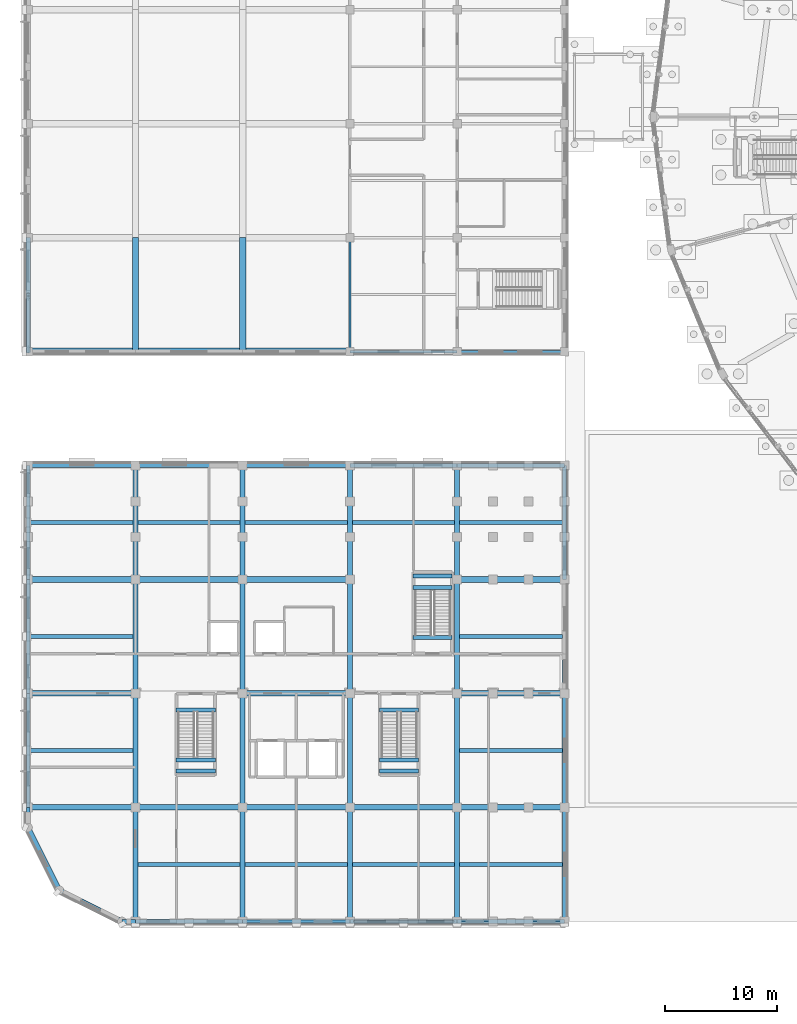
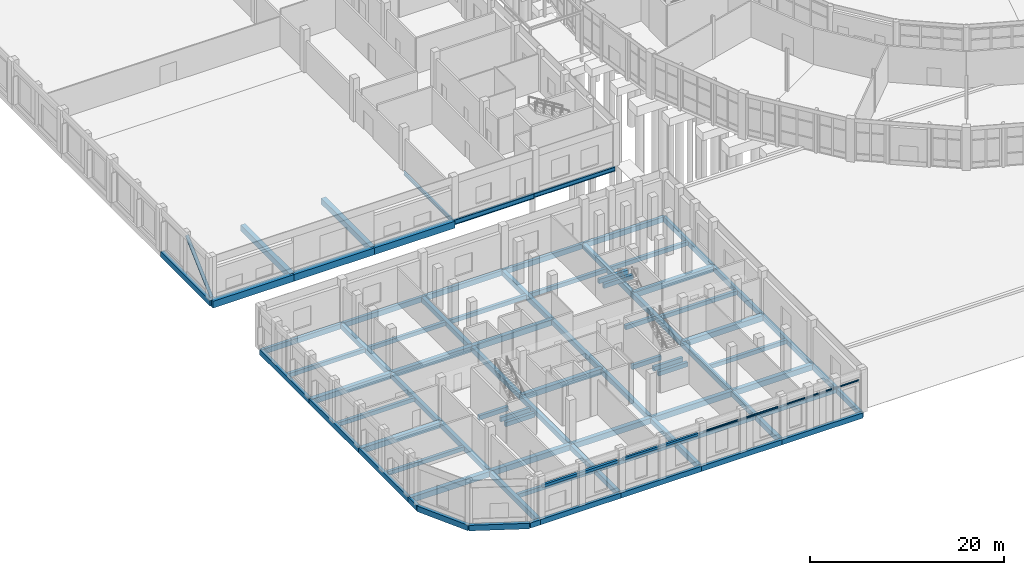
# One storey, part 27 of 137: 83 beams, 1 member.
"""IFC4 building model written with IfcOpenShell, lengths in metres."""

import ifcopenshell
import ifcopenshell.guid

model = None  # the IFC model being written
_history = None  # IfcOwnerHistory: only IFC2X3 demands one
_inside = {}  # id of a spatial element -> (the spatial element, [elements in it])
_under = {}  # id of a project, library or spatial element -> (it, [spatial elements below it])
_declared = {}  # id of a project -> (the project, [libraries it declares])
_typed = {}  # id of a type object -> (the type object, [elements of that type])
_made_of = {}  # id of a material, layer set ... -> (it, [elements and type objects made of it])


def new_model(schema):
    """Start an empty IFC model of exactly this schema.

    Asked for "IFC4X3", IfcOpenShell would pick the latest addendum, in which some entities
    have other attributes; the version numbers below select the first issue.
    IFC2X3 requires an IfcOwnerHistory on every rooted entity: one is made here for all.
    """
    global model, _history
    if schema == "IFC4X3":
        model = ifcopenshell.file(schema_version=(4, 3, 0, 0))
    else:
        model = ifcopenshell.file(schema=schema)
    _inside.clear()
    _under.clear()
    _declared.clear()
    _typed.clear()
    _made_of.clear()
    _history = None
    if model.schema == "IFC2X3":
        org = make("IfcOrganization", Name="unknown")
        user = make(
            "IfcPersonAndOrganization",
            ThePerson=make("IfcPerson", FamilyName="unknown"),
            TheOrganization=org,
        )
        app = make(
            "IfcApplication",
            ApplicationDeveloper=org,
            Version="unknown",
            ApplicationFullName="unknown",
            ApplicationIdentifier="unknown",
        )
        _history = make(
            "IfcOwnerHistory",
            OwningUser=user,
            OwningApplication=app,
            ChangeAction="ADDED",
            CreationDate=0,
        )
    return model


def make(cls, **values):
    """One entity of the class cls with the attributes given. An attribute that is None is left unset."""
    return model.create_entity(
        cls, **{name: value for name, value in values.items() if value is not None}
    )


def rooted(cls, **values):
    """An entity with a GlobalId (a new one), such as an element, a storey or a relation."""
    return make(cls, GlobalId=ifcopenshell.guid.new(), OwnerHistory=_history, **values)


def si_unit(unit_type, name, prefix=None):
    """IfcSIUnit, for example si_unit("LENGTHUNIT", "METRE", prefix="MILLI")."""
    return make("IfcSIUnit", UnitType=unit_type, Prefix=prefix, Name=name)


def assignment(units):
    """IfcUnitAssignment: the units of a project."""
    return None if units is None else make("IfcUnitAssignment", Units=units)


def point(xyz):
    """IfcCartesianPoint."""
    return None if xyz is None else make("IfcCartesianPoint", Coordinates=xyz)


def direction(xyz):
    """IfcDirection."""
    return None if xyz is None else make("IfcDirection", DirectionRatios=xyz)


def frame(location, z_axis=None, x_axis=None):
    """IfcAxis2Placement3D, a coordinate frame: its origin and axes. An axis left out is left unset."""
    return make(
        "IfcAxis2Placement3D",
        Location=point(location),
        Axis=direction(z_axis),
        RefDirection=direction(x_axis),
    )


def frame_2d(location, x_axis=None):
    """IfcAxis2Placement2D, a coordinate frame in the plane: its origin and x axis."""
    return make(
        "IfcAxis2Placement2D", Location=point(location), RefDirection=direction(x_axis)
    )


def origin():
    """The frame at (0, 0, 0) with its axes left unset."""
    return frame((0.0, 0.0, 0.0))


def origin_2d():
    """The frame at (0, 0) in the plane with its x axis left unset."""
    return frame_2d((0.0, 0.0))


def place(relative_to, where):
    """IfcLocalPlacement: puts the frame where relative to a parent placement (None: the world)."""
    return make(
        "IfcLocalPlacement", PlacementRelTo=relative_to, RelativePlacement=where
    )


def context(
    kind, dimensions, precision=None, world=None, true_north=None, identifier=None
):
    """IfcGeometricRepresentationContext, for example the 3D "Model" context."""
    return make(
        "IfcGeometricRepresentationContext",
        ContextIdentifier=identifier,
        ContextType=kind,
        CoordinateSpaceDimension=dimensions,
        Precision=precision,
        WorldCoordinateSystem=world,
        TrueNorth=true_north,
    )


def subcontext(parent, identifier, kind, view, scale=None):
    """IfcGeometricRepresentationSubContext, for example "Body" below "Model"."""
    return make(
        "IfcGeometricRepresentationSubContext",
        ContextIdentifier=identifier,
        ContextType=kind,
        ParentContext=parent,
        TargetScale=scale,
        TargetView=view,
    )


def project(units=None, contexts=None):
    """IfcProject with its units and contexts."""
    return rooted(
        "IfcProject",
        Name="project",
        RepresentationContexts=contexts,
        UnitsInContext=assignment(units),
    )


def spatial(cls, under=None, at=None, **own):
    """A site, building, storey or space (cls), placed at a placement, below another one or the project."""
    s = rooted(cls, ObjectPlacement=at, **own)
    if under is not None:
        _under.setdefault(under.id(), (under, []))[1].append(s)
    return s


def profile(cls, at=None, kind="AREA", **sizes):
    """A parametric profile (cls). Its sizes go by their IFC names, for example OverallWidth=200.0."""
    return make(cls, ProfileType=kind, Position=at, **sizes)


def rectangle(**sizes):
    """IfcRectangleProfileDef."""
    return profile("IfcRectangleProfileDef", **sizes)


def hollow_circle(**sizes):
    """IfcCircleHollowProfileDef."""
    return profile("IfcCircleHollowProfileDef", **sizes)


def i_section(**sizes):
    """IfcIShapeProfileDef."""
    return profile("IfcIShapeProfileDef", **sizes)


def extrude(swept, where, along, depth):
    """IfcExtrudedAreaSolid: the profile swept, set in the frame where, extruded along a direction by depth."""
    return make(
        "IfcExtrudedAreaSolid",
        SweptArea=swept,
        Position=where,
        ExtrudedDirection=direction(along),
        Depth=depth,
    )


def shape(context_of_items, identifier, shape_type, items):
    """IfcShapeRepresentation: the items that make up one representation, for example the "Body"."""
    return make(
        "IfcShapeRepresentation",
        ContextOfItems=context_of_items,
        RepresentationIdentifier=identifier,
        RepresentationType=shape_type,
        Items=items,
    )


def material(Name=None, Category=None):
    """IfcMaterial."""
    return make("IfcMaterial", Name=Name, Category=Category)


def material_profile(
    of_material, cross_section, Name=None, Category=None, Priority=None
):
    """IfcMaterialProfile: a cross section and its material."""
    return make(
        "IfcMaterialProfile",
        Name=Name,
        Material=of_material,
        Profile=cross_section,
        Priority=Priority,
        Category=Category,
    )


def profile_set(profiles, Name=None, composite=None):
    """IfcMaterialProfileSet."""
    return make(
        "IfcMaterialProfileSet",
        Name=Name,
        MaterialProfiles=profiles,
        CompositeProfile=composite,
    )


def made_of(thing, what):
    """Note that an element or type object is made of a material, layer set ...; save() writes the relation."""
    if what is not None:
        _made_of.setdefault(what.id(), (what, []))[1].append(thing)
    return thing


def type_object(cls, material=None, **own):
    """A type object (cls), such as IfcWallType, which elements share."""
    return made_of(rooted(cls, **own), material)


def element(
    cls,
    number,
    at=None,
    inside=None,
    cuts=None,
    type_object=None,
    material=None,
    context=None,
    identifier="Body",
    shape_type=None,
    held_by="IfcProductDefinitionShape",
    body=None,
    shapes=None,
    **own,
):
    """One element of the class cls, such as IfcWall. Its Tag is "e" and its number.

    at: its placement. inside: the storey or other place that contains it. cuts: it is an
    opening in that element (IfcRelVoidsElement). A single representation is given by context,
    identifier, shape_type and body (its items); several are given by shapes. held_by: the class
    of the entity that holds the representations. save() writes the other relations.
    """
    e = rooted(cls, Tag="e%d" % number, ObjectPlacement=at, **own)
    if body is not None:
        shapes = [shape(context, identifier, shape_type, body)]
    if shapes is not None:
        e.Representation = make(held_by, Representations=shapes)
    if inside is not None:
        _inside.setdefault(inside.id(), (inside, []))[1].append(e)
    if cuts is not None:
        rooted(
            "IfcRelVoidsElement", RelatingBuildingElement=cuts, RelatedOpeningElement=e
        )
    if type_object is not None:
        _typed.setdefault(type_object.id(), (type_object, []))[1].append(e)
    return made_of(e, material)


def aggregate(whole, parts):
    """IfcRelAggregates: a whole, such as a stair, and the parts it consists of."""
    return rooted("IfcRelAggregates", RelatingObject=whole, RelatedObjects=parts)


def save(model, path):
    """Write the relations noted so far, then the file.

    IfcRelAggregates (storeys below a building ...), IfcRelContainedInSpatialStructure (elements
    in a storey), IfcRelDefinesByType, IfcRelAssociatesMaterial and IfcRelDeclares: one each for
    every whole, place, type object, material and project.
    """
    for whole, parts in _under.values():
        aggregate(whole, parts)
    for where, things in _inside.values():
        rooted(
            "IfcRelContainedInSpatialStructure",
            RelatedElements=things,
            RelatingStructure=where,
        )
    for kind, things in _typed.values():
        rooted("IfcRelDefinesByType", RelatedObjects=things, RelatingType=kind)
    for what, things in _made_of.values():
        rooted("IfcRelAssociatesMaterial", RelatedObjects=things, RelatingMaterial=what)
    for by, libraries in _declared.values():
        rooted("IfcRelDeclares", RelatingContext=by, RelatedDefinitions=libraries)
    model.write(path)


model = new_model("IFC4")

# Units and contexts
model_context = context("Model", 3, precision=1e-05, world=origin(), true_north=direction((0.0, 1.0)))
body_context = subcontext(model_context, "Body", "Model", "MODEL_VIEW")
ifc_project = project(units=[si_unit("LENGTHUNIT", "METRE"), si_unit("AREAUNIT", "SQUARE_METRE"), si_unit("VOLUMEUNIT", "CUBIC_METRE"), si_unit("PLANEANGLEUNIT", "RADIAN"), si_unit("MASSUNIT", "GRAM", prefix="KILO")], contexts=[model_context])

# Site, building, storey
site_placement = place(None, origin())
site = spatial("IfcSite", under=ifc_project, at=site_placement, CompositionType="ELEMENT")
building_placement = place(site_placement, origin())
building = spatial("IfcBuilding", under=site, at=building_placement, Name="Vondelvale Polytechnic", CompositionType="ELEMENT")
storey_placement = place(building_placement, origin())
storey = spatial("IfcBuildingStorey", under=building, at=storey_placement, Name="L00", CompositionType="ELEMENT", Elevation=0.0)

# Beams
ifc_material_1 = material(Name="Concrete N40 (f'c = 40 MPa)", Category="concrete")
ifc_material_profile_1 = material_profile(ifc_material_1, rectangle(XDim=0.35009765625, YDim=0.550048828125, at=origin_2d()), Name="RC-BM-350x550")
ifc_profile_set_1 = profile_set([ifc_material_profile_1], Name="Concrete N40 (f'c = 40 MPa)")
beam_type_1 = type_object("IfcBeamType", Name="BM-RC350x550", PredefinedType="BEAM", material=ifc_profile_set_1)
for number, where, z_axis, x_axis, name in (
    (1, (13.25, 14.449951171875, 2.22509765625), (1.0, 0.0, 0.0), (0.0, 1.0, 0.0), "L00 STLD B-06"),
    (2, (13.25, 13.449951171875, 2.22509765625), (1.0, 0.0, 0.0), (0.0, 1.0, 0.0), "L00 STLD B-06"),
    (3, (13.25, 18.925048828125, -0.27490234375), (1.0, 0.0, 0.0), (0.0, 1.0, 0.0), "L00 STHD B-06"),
    (4, (31.449951171875, 14.449951171875, 2.22509765625), (1.0, 0.0, 0.0), (0.0, 1.0, 0.0), "L00 STLD B-06"),
    (5, (31.449951171875, 13.449951171875, 2.22509765625), (1.0, 0.0, 0.0), (0.0, 1.0, 0.0), "L00 STLD B-06"),
    (6, (31.449951171875, 18.925048828125, -0.27490234375), (1.0, 0.0, 0.0), (0.0, 1.0, 0.0), "L00 STHD B-06"),
    (7, (37.949951171875, 29.89990234375, 2.22509765625), (-1.0, 0.0, 0.0), (0.0, -1.0, 0.0), "L00 STLD B-06"),
    (8, (37.949951171875, 30.89990234375, 2.22509765625), (-1.0, 0.0, 0.0), (0.0, -1.0, 0.0), "L00 STLD B-06"),
    (9, (37.949951171875, 25.425048828125, -0.27490234375), (-1.0, 0.0, 0.0), (0.0, -1.0, 0.0), "L00 STHD B-06"),
):
    element("IfcBeam", number, at=place(storey_placement, frame(where, z_axis=z_axis, x_axis=x_axis)), inside=storey, type_object=beam_type_1, Name=name, PredefinedType="BEAM", context=body_context, shape_type="SweptSolid", body=[
        extrude(rectangle(XDim=0.35009765625, YDim=0.550048828125, at=origin_2d()), origin(), (0.0, 0.0, 1.0), 3.5),
    ])
ifc_material_profile_2 = material_profile(ifc_material_1, rectangle(XDim=0.449951171875, YDim=0.64990234375, at=origin_2d()), Name="RC-BM-450x650")
ifc_profile_set_2 = profile_set([ifc_material_profile_2], Name="Concrete N40 (f'c = 40 MPa)")
beam_type_2 = type_object("IfcBeamType", Name="BM-RC450x650", PredefinedType="BEAM", material=ifc_profile_set_2)
for number, where, z_axis, x_axis, name in (
    (10, (9.60009765625, 0.0, -0.625), (0.0, 1.0, 0.0), (-1.0, 0.0, 0.0), "L00 B B-04"),
    (11, (9.60009765625, 10.199951171875, -0.625), (0.0, 1.0, 0.0), (-1.0, 0.0, 0.0), "L00 B B-04"),
):
    element("IfcBeam", number, at=place(storey_placement, frame(where, z_axis=z_axis, x_axis=x_axis)), inside=storey, type_object=beam_type_2, Name=name, PredefinedType="BEAM", context=body_context, shape_type="SweptSolid", body=[
        extrude(rectangle(XDim=0.449951171875, YDim=0.64990234375, at=origin_2d()), origin(), (0.0, 0.0, 1.0), 10.199951171875),
    ])
beam_1_placement = place(storey_placement, frame((9.60009765625, 20.39990234375, -0.625), z_axis=(0.0, 1.0, 0.0), x_axis=(-1.0, 0.0, 0.0)))
element("IfcBeam", 12, at=beam_1_placement, inside=storey, type_object=beam_type_2, Name="L00 B B-04", PredefinedType="BEAM", context=body_context, shape_type="SweptSolid", body=[
    extrude(rectangle(XDim=0.449951171875, YDim=0.64990234375, at=origin_2d()), origin(), (0.0, 0.0, 1.0), 10.2001953125),
])
for number, where, z_axis, x_axis, name in (
    (13, (9.60009765625, 30.60009765625, -0.625), (0.0, 1.0, 0.0), (-1.0, 0.0, 0.0), "L00 B B-04"),
    (14, (19.199951171875, 0.0, -0.625), (0.0, 1.0, 0.0), (-1.0, 0.0, 0.0), "L00 B B-04"),
    (15, (19.199951171875, 10.199951171875, -0.625), (0.0, 1.0, 0.0), (-1.0, 0.0, 0.0), "L00 B B-04"),
):
    element("IfcBeam", number, at=place(storey_placement, frame(where, z_axis=z_axis, x_axis=x_axis)), inside=storey, type_object=beam_type_2, Name=name, PredefinedType="BEAM", context=body_context, shape_type="SweptSolid", body=[
        extrude(rectangle(XDim=0.449951171875, YDim=0.64990234375, at=origin_2d()), origin(), (0.0, 0.0, 1.0), 10.199951171875),
    ])
beam_2_placement = place(storey_placement, frame((19.199951171875, 20.39990234375, -0.625), z_axis=(0.0, 1.0, 0.0), x_axis=(-1.0, 0.0, 0.0)))
element("IfcBeam", 16, at=beam_2_placement, inside=storey, type_object=beam_type_2, Name="L00 B B-04", PredefinedType="BEAM", context=body_context, shape_type="SweptSolid", body=[
    extrude(rectangle(XDim=0.449951171875, YDim=0.64990234375, at=origin_2d()), origin(), (0.0, 0.0, 1.0), 10.2001953125),
])
for number, where, z_axis, x_axis, name in (
    (17, (19.199951171875, 30.60009765625, -0.625), (0.0, 1.0, 0.0), (-1.0, 0.0, 0.0), "L00 B B-04"),
    (18, (28.800048828125, 0.0, -0.625), (0.0, 1.0, 0.0), (-1.0, 0.0, 0.0), "L00 B B-04"),
    (19, (28.800048828125, 10.199951171875, -0.625), (0.0, 1.0, 0.0), (-1.0, 0.0, 0.0), "L00 B B-04"),
):
    element("IfcBeam", number, at=place(storey_placement, frame(where, z_axis=z_axis, x_axis=x_axis)), inside=storey, type_object=beam_type_2, Name=name, PredefinedType="BEAM", context=body_context, shape_type="SweptSolid", body=[
        extrude(rectangle(XDim=0.449951171875, YDim=0.64990234375, at=origin_2d()), origin(), (0.0, 0.0, 1.0), 10.199951171875),
    ])
beam_3_placement = place(storey_placement, frame((28.800048828125, 20.39990234375, -0.625), z_axis=(0.0, 1.0, 0.0), x_axis=(-1.0, 0.0, 0.0)))
element("IfcBeam", 20, at=beam_3_placement, inside=storey, type_object=beam_type_2, Name="L00 B B-04", PredefinedType="BEAM", context=body_context, shape_type="SweptSolid", body=[
    extrude(rectangle(XDim=0.449951171875, YDim=0.64990234375, at=origin_2d()), origin(), (0.0, 0.0, 1.0), 10.2001953125),
])
for number, where, z_axis, x_axis, name in (
    (21, (28.800048828125, 30.60009765625, -0.625), (0.0, 1.0, 0.0), (-1.0, 0.0, 0.0), "L00 B B-04"),
    (22, (38.39990234375, 0.0, -0.625), (0.0, 1.0, 0.0), (-1.0, 0.0, 0.0), "L00 B B-04"),
    (23, (38.39990234375, 10.199951171875, -0.625), (0.0, 1.0, 0.0), (-1.0, 0.0, 0.0), "L00 B B-04"),
):
    element("IfcBeam", number, at=place(storey_placement, frame(where, z_axis=z_axis, x_axis=x_axis)), inside=storey, type_object=beam_type_2, Name=name, PredefinedType="BEAM", context=body_context, shape_type="SweptSolid", body=[
        extrude(rectangle(XDim=0.449951171875, YDim=0.64990234375, at=origin_2d()), origin(), (0.0, 0.0, 1.0), 10.199951171875),
    ])
beam_4_placement = place(storey_placement, frame((38.39990234375, 20.39990234375, -0.625), z_axis=(0.0, 1.0, 0.0), x_axis=(-1.0, 0.0, 0.0)))
element("IfcBeam", 24, at=beam_4_placement, inside=storey, type_object=beam_type_2, Name="L00 B B-04", PredefinedType="BEAM", context=body_context, shape_type="SweptSolid", body=[
    extrude(rectangle(XDim=0.449951171875, YDim=0.64990234375, at=origin_2d()), origin(), (0.0, 0.0, 1.0), 10.2001953125),
])
beam_5_placement = place(storey_placement, frame((38.39990234375, 30.60009765625, -0.625), z_axis=(0.0, 1.0, 0.0), x_axis=(-1.0, 0.0, 0.0)))
element("IfcBeam", 25, at=beam_5_placement, inside=storey, type_object=beam_type_2, Name="L00 B B-04", PredefinedType="BEAM", context=body_context, shape_type="SweptSolid", body=[
    extrude(rectangle(XDim=0.449951171875, YDim=0.64990234375, at=origin_2d()), origin(), (0.0, 0.0, 1.0), 10.199951171875),
])
ifc_material_profile_3 = material_profile(ifc_material_1, rectangle(XDim=0.5, YDim=0.699951171875, at=origin_2d()), Name="RC-BM-500x700")
ifc_profile_set_3 = profile_set([ifc_material_profile_3], Name="Concrete N40 (f'c = 40 MPa)")
beam_type_3 = type_object("IfcBeamType", Name="BM-RC500x700", PredefinedType="BEAM", material=ifc_profile_set_3)
beam_6_placement = place(storey_placement, frame((0.0, 10.199951171875, -0.64990234375), z_axis=(1.0, 0.0, 0.0), x_axis=(0.0, 1.0, 0.0)))
element("IfcBeam", 26, at=beam_6_placement, inside=storey, type_object=beam_type_3, Name="L00 B B-03", PredefinedType="BEAM", context=body_context, shape_type="SweptSolid", body=[
    extrude(rectangle(XDim=0.5, YDim=0.699951171875, at=origin_2d()), origin(), (0.0, 0.0, 1.0), 9.60009765625),
])
beam_7_placement = place(storey_placement, frame((9.60009765625, 10.199951171875, -0.64990234375), z_axis=(1.0, 0.0, 0.0), x_axis=(0.0, 1.0, 0.0)))
element("IfcBeam", 27, at=beam_7_placement, inside=storey, type_object=beam_type_3, Name="L00 B B-03", PredefinedType="BEAM", context=body_context, shape_type="SweptSolid", body=[
    extrude(rectangle(XDim=0.5, YDim=0.699951171875, at=origin_2d()), origin(), (0.0, 0.0, 1.0), 9.599853515625),
])
beam_8_placement = place(storey_placement, frame((19.199951171875, 10.199951171875, -0.64990234375), z_axis=(1.0, 0.0, 0.0), x_axis=(0.0, 1.0, 0.0)))
element("IfcBeam", 28, at=beam_8_placement, inside=storey, type_object=beam_type_3, Name="L00 B B-03", PredefinedType="BEAM", context=body_context, shape_type="SweptSolid", body=[
    extrude(rectangle(XDim=0.5, YDim=0.699951171875, at=origin_2d()), origin(), (0.0, 0.0, 1.0), 9.60009765625),
])
beam_9_placement = place(storey_placement, frame((28.800048828125, 10.199951171875, -0.64990234375), z_axis=(1.0, 0.0, 0.0), x_axis=(0.0, 1.0, 0.0)))
element("IfcBeam", 29, at=beam_9_placement, inside=storey, type_object=beam_type_3, Name="L00 B B-03", PredefinedType="BEAM", context=body_context, shape_type="SweptSolid", body=[
    extrude(rectangle(XDim=0.5, YDim=0.699951171875, at=origin_2d()), origin(), (0.0, 0.0, 1.0), 9.599853515625),
])
for number, where, z_axis, x_axis, name in (
    (30, (38.39990234375, 10.199951171875, -0.64990234375), (1.0, 0.0, 0.0), (0.0, 1.0, 0.0), "L00 B B-03"),
    (31, (0.0, 20.39990234375, -0.64990234375), (1.0, 0.0, 0.0), (0.0, 1.0, 0.0), "L00 B B-03"),
    (32, (19.199951171875, 20.39990234375, -0.64990234375), (1.0, 0.0, 0.0), (0.0, 1.0, 0.0), "L00 B B-03"),
    (33, (38.39990234375, 20.39990234375, -0.64990234375), (1.0, 0.0, 0.0), (0.0, 1.0, 0.0), "L00 B B-03"),
    (34, (0.0, 30.60009765625, -0.64990234375), (1.0, 0.0, 0.0), (0.0, 1.0, 0.0), "L00 B B-03"),
):
    element("IfcBeam", number, at=place(storey_placement, frame(where, z_axis=z_axis, x_axis=x_axis)), inside=storey, type_object=beam_type_3, Name=name, PredefinedType="BEAM", context=body_context, shape_type="SweptSolid", body=[
        extrude(rectangle(XDim=0.5, YDim=0.699951171875, at=origin_2d()), origin(), (0.0, 0.0, 1.0), 9.60009765625),
    ])
beam_10_placement = place(storey_placement, frame((9.60009765625, 30.60009765625, -0.64990234375), z_axis=(1.0, 0.0, 0.0), x_axis=(0.0, 1.0, 0.0)))
element("IfcBeam", 35, at=beam_10_placement, inside=storey, type_object=beam_type_3, Name="L00 B B-03", PredefinedType="BEAM", context=body_context, shape_type="SweptSolid", body=[
    extrude(rectangle(XDim=0.5, YDim=0.699951171875, at=origin_2d()), origin(), (0.0, 0.0, 1.0), 9.599853515625),
])
for number, where, z_axis, x_axis, name in (
    (36, (19.199951171875, 30.60009765625, -0.64990234375), (1.0, 0.0, 0.0), (0.0, 1.0, 0.0), "L00 B B-03"),
    (37, (38.39990234375, 30.60009765625, -0.64990234375), (1.0, 0.0, 0.0), (0.0, 1.0, 0.0), "L00 B B-03"),
):
    element("IfcBeam", number, at=place(storey_placement, frame(where, z_axis=z_axis, x_axis=x_axis)), inside=storey, type_object=beam_type_3, Name=name, PredefinedType="BEAM", context=body_context, shape_type="SweptSolid", body=[
        extrude(rectangle(XDim=0.5, YDim=0.699951171875, at=origin_2d()), origin(), (0.0, 0.0, 1.0), 9.60009765625),
    ])
ifc_material_profile_4 = material_profile(ifc_material_1, rectangle(XDim=0.550048828125, YDim=0.75, at=origin_2d()), Name="RC-BM-550x750")
ifc_profile_set_4 = profile_set([ifc_material_profile_4], Name="Concrete N40 (f'c = 40 MPa)")
beam_type_4 = type_object("IfcBeamType", Name="BM-RC550x750", PredefinedType="BEAM", material=ifc_profile_set_4)
for number, where, z_axis, x_axis, name in (
    (38, (9.60009765625, 51.0, -0.675048828125), (0.0, 1.0, 0.0), (-1.0, 0.0, 0.0), "L00 B B-02"),
    (39, (19.199951171875, 51.0, -0.675048828125), (0.0, 1.0, 0.0), (-1.0, 0.0, 0.0), "L00 B B-02"),
):
    element("IfcBeam", number, at=place(storey_placement, frame(where, z_axis=z_axis, x_axis=x_axis)), inside=storey, type_object=beam_type_4, Name=name, PredefinedType="BEAM", context=body_context, shape_type="SweptSolid", body=[
        extrude(rectangle(XDim=0.550048828125, YDim=0.75, at=origin_2d()), origin(), (0.0, 0.0, 1.0), 10.199951171875),
    ])
ifc_material_profile_5 = material_profile(ifc_material_1, rectangle(XDim=0.60009765625, YDim=0.85009765625, at=origin_2d()), Name="RC-BM-600x850")
ifc_profile_set_5 = profile_set([ifc_material_profile_5], Name="Concrete N40 (f'c = 40 MPa)")
beam_type_5 = type_object("IfcBeamType", Name="BM-RC600x850", PredefinedType="BEAM", material=ifc_profile_set_5)
beam_11_placement = place(storey_placement, frame((0.0, 51.0, -0.72509765625), z_axis=(1.0, 0.0, 0.0), x_axis=(0.0, 1.0, 0.0)))
element("IfcBeam", 40, at=beam_11_placement, inside=storey, type_object=beam_type_5, Name="L00 B B-01", PredefinedType="BEAM", context=body_context, shape_type="SweptSolid", body=[
    extrude(rectangle(XDim=0.60009765625, YDim=0.85009765625, at=origin_2d()), origin(), (0.0, 0.0, 1.0), 9.60009765625),
])
beam_12_placement = place(storey_placement, frame((9.60009765625, 51.0, -0.72509765625), z_axis=(1.0, 0.0, 0.0), x_axis=(0.0, 1.0, 0.0)))
element("IfcBeam", 41, at=beam_12_placement, inside=storey, type_object=beam_type_5, Name="L00 B B-01", PredefinedType="BEAM", context=body_context, shape_type="SweptSolid", body=[
    extrude(rectangle(XDim=0.60009765625, YDim=0.85009765625, at=origin_2d()), origin(), (0.0, 0.0, 1.0), 9.599853515625),
])
beam_13_placement = place(storey_placement, frame((19.199951171875, 51.0, -0.72509765625), z_axis=(1.0, 0.0, 0.0), x_axis=(0.0, 1.0, 0.0)))
element("IfcBeam", 42, at=beam_13_placement, inside=storey, type_object=beam_type_5, Name="L00 B B-01", PredefinedType="BEAM", context=body_context, shape_type="SweptSolid", body=[
    extrude(rectangle(XDim=0.60009765625, YDim=0.85009765625, at=origin_2d()), origin(), (0.0, 0.0, 1.0), 9.60009765625),
])
ifc_material_2 = material(Name="Steel 300PLUS (fy = 300 MPa)", Category="steel")
ifc_material_profile_6 = material_profile(ifc_material_2, i_section(OverallWidth=0.18994140625, OverallDepth=0.45703125, WebThickness=0.009033203125, FlangeThickness=0.014404296875, FilletRadius=0.011474609375, at=origin_2d()), Name="460UB74.6")
ifc_profile_set_6 = profile_set([ifc_material_profile_6], Name="Steel 300PLUS (fy = 300 MPa)")
beam_type_6 = type_object("IfcBeamType", Name="BM-UB460", PredefinedType="BEAM", material=ifc_profile_set_6)
beam_14_placement = place(storey_placement, frame((28.800048828125, 51.0, -0.528564453125), z_axis=(0.0, 1.0, 0.0), x_axis=(-1.0, 0.0, 0.0)))
element("IfcBeam", 43, at=beam_14_placement, inside=storey, type_object=beam_type_6, Name="L00 B B-13", PredefinedType="BEAM", context=body_context, shape_type="SweptSolid", body=[
    extrude(i_section(OverallWidth=0.18994140625, OverallDepth=0.45703125, WebThickness=0.009033203125, FlangeThickness=0.014404296875, FilletRadius=0.011474609375, at=origin_2d()), origin(), (0.0, 0.0, 1.0), 10.199951171875),
])
ifc_material_profile_7 = material_profile(ifc_material_2, i_section(OverallWidth=0.208984375, OverallDepth=0.532958984375, WebThickness=0.01025390625, FlangeThickness=0.015625, FilletRadius=0.013916015625, at=origin_2d()), Name="530UB92.4")
ifc_profile_set_7 = profile_set([ifc_material_profile_7], Name="Steel 300PLUS (fy = 300 MPa)")
beam_type_7 = type_object("IfcBeamType", Name="BM-UB530", PredefinedType="BEAM", material=ifc_profile_set_7)
beam_15_placement = place(storey_placement, frame((38.39990234375, 51.0, -0.56640625), z_axis=(1.0, 0.0, 0.0), x_axis=(0.0, 1.0, 0.0)))
element("IfcBeam", 44, at=beam_15_placement, inside=storey, type_object=beam_type_7, Name="L00 B B-11", PredefinedType="BEAM", context=body_context, shape_type="SweptSolid", body=[
    extrude(i_section(OverallWidth=0.208984375, OverallDepth=0.532958984375, WebThickness=0.01025390625, FlangeThickness=0.015625, FilletRadius=0.013916015625, at=origin_2d()), origin(), (0.0, 0.0, 1.0), 9.60009765625),
])
ifc_material_profile_8 = material_profile(ifc_material_2, i_section(OverallWidth=0.22900390625, OverallDepth=0.612060546875, WebThickness=0.011962890625, FlangeThickness=0.01953125, FilletRadius=0.013916015625, at=origin_2d()), Name="610UB125")
ifc_profile_set_8 = profile_set([ifc_material_profile_8], Name="Steel 300PLUS (fy = 300 MPa)")
beam_type_8 = type_object("IfcBeamType", Name="BM-UB610H", PredefinedType="BEAM", material=ifc_profile_set_8)
beam_16_placement = place(storey_placement, frame((28.800048828125, 51.0, -0.60595703125), z_axis=(1.0, 0.0, 0.0), x_axis=(0.0, 1.0, 0.0)))
element("IfcBeam", 45, at=beam_16_placement, inside=storey, type_object=beam_type_8, Name="L00 B B-09", PredefinedType="BEAM", context=body_context, shape_type="SweptSolid", body=[
    extrude(i_section(OverallWidth=0.22900390625, OverallDepth=0.612060546875, WebThickness=0.011962890625, FlangeThickness=0.01953125, FilletRadius=0.013916015625, at=origin_2d()), origin(), (0.0, 0.0, 1.0), 9.599853515625),
])

# Member
ifc_material_3 = material(Name="Steel C350L0 (fy = 350 MPa)", Category="steel")
ifc_material_profile_9 = material_profile(ifc_material_3, hollow_circle(Radius=0.203125, WallThickness=0.0126953125, at=origin_2d()), Name="406.4x12.7CHS")
ifc_profile_set_9 = profile_set([ifc_material_profile_9], Name="Steel C350L0 (fy = 350 MPa)")
member_type = type_object("IfcMemberType", Name="FRAME BRACE 406CHS", PredefinedType="BRACE", material=ifc_profile_set_9)
member_placement = place(storey_placement, frame((0.0, 51.0, 0.0400390625), z_axis=(0.0, 0.734647025657, 0.678449517424), x_axis=(-1.0, 0.0, 0.0)))
element("IfcMember", 46, at=member_placement, inside=storey, type_object=member_type, Name="L00 workshop perimeter concentrically braced bay 1", PredefinedType="BRACE", context=body_context, shape_type="SweptSolid", body=[
    extrude(hollow_circle(Radius=0.203125, WallThickness=0.0126953125, at=origin_2d()), origin(), (0.0, 0.0, 1.0), 6.942138671875),
])

# Beams
ifc_material_profile_10 = material_profile(ifc_material_1, rectangle(XDim=0.35009765625, YDim=0.5, at=origin_2d()), Name="RC-JST-350x500")
ifc_profile_set_10 = profile_set([ifc_material_profile_10], Name="Concrete N40 (f'c = 40 MPa)")
beam_type_9 = type_object("IfcBeamType", Name="JST-RC350x500", PredefinedType="JOIST", material=ifc_profile_set_10)
beam_17_placement = place(storey_placement, frame((9.824951171875, 5.10009765625, -0.550048828125), z_axis=(1.0, 0.0, 0.0), x_axis=(0.0, 1.0, 0.0)))
element("IfcBeam", 47, at=beam_17_placement, inside=storey, type_object=beam_type_9, Name="L00 J J-01", PredefinedType="JOIST", context=body_context, shape_type="SweptSolid", body=[
    extrude(rectangle(XDim=0.35009765625, YDim=0.5, at=origin_2d()), origin(), (0.0, 0.0, 1.0), 9.150146484375),
])
beam_18_placement = place(storey_placement, frame((19.425048828125, 5.10009765625, -0.550048828125), z_axis=(1.0, 0.0, 0.0), x_axis=(0.0, 1.0, 0.0)))
element("IfcBeam", 48, at=beam_18_placement, inside=storey, type_object=beam_type_9, Name="L00 J J-01", PredefinedType="JOIST", context=body_context, shape_type="SweptSolid", body=[
    extrude(rectangle(XDim=0.35009765625, YDim=0.5, at=origin_2d()), origin(), (0.0, 0.0, 1.0), 9.14990234375),
])
beam_19_placement = place(storey_placement, frame((29.02490234375, 5.10009765625, -0.550048828125), z_axis=(1.0, 0.0, 0.0), x_axis=(0.0, 1.0, 0.0)))
element("IfcBeam", 49, at=beam_19_placement, inside=storey, type_object=beam_type_9, Name="L00 J J-01", PredefinedType="JOIST", context=body_context, shape_type="SweptSolid", body=[
    extrude(rectangle(XDim=0.35009765625, YDim=0.5, at=origin_2d()), origin(), (0.0, 0.0, 1.0), 9.150146484375),
])
for number, where, z_axis, x_axis, name in (
    (50, (38.625, 5.10009765625, -0.550048828125), (1.0, 0.0, 0.0), (0.0, 1.0, 0.0), "L00 J J-01"),
    (51, (0.175048828125, 15.300048828125, -0.550048828125), (1.0, 0.0, 0.0), (0.0, 1.0, 0.0), "L00 J J-01"),
    (52, (38.625, 15.300048828125, -0.550048828125), (1.0, 0.0, 0.0), (0.0, 1.0, 0.0), "L00 J J-01"),
    (53, (0.175048828125, 25.5, -0.550048828125), (1.0, 0.0, 0.0), (0.0, 1.0, 0.0), "L00 J J-01"),
    (54, (38.625, 25.5, -0.550048828125), (1.0, 0.0, 0.0), (0.0, 1.0, 0.0), "L00 J J-01"),
    (55, (0.175048828125, 35.699951171875, -0.550048828125), (1.0, 0.0, 0.0), (0.0, 1.0, 0.0), "L00 J J-01"),
):
    element("IfcBeam", number, at=place(storey_placement, frame(where, z_axis=z_axis, x_axis=x_axis)), inside=storey, type_object=beam_type_9, Name=name, PredefinedType="JOIST", context=body_context, shape_type="SweptSolid", body=[
        extrude(rectangle(XDim=0.35009765625, YDim=0.5, at=origin_2d()), origin(), (0.0, 0.0, 1.0), 9.199951171875),
    ])
beam_20_placement = place(storey_placement, frame((9.824951171875, 35.699951171875, -0.550048828125), z_axis=(1.0, 0.0, 0.0), x_axis=(0.0, 1.0, 0.0)))
element("IfcBeam", 56, at=beam_20_placement, inside=storey, type_object=beam_type_9, Name="L00 J J-01", PredefinedType="JOIST", context=body_context, shape_type="SweptSolid", body=[
    extrude(rectangle(XDim=0.35009765625, YDim=0.5, at=origin_2d()), origin(), (0.0, 0.0, 1.0), 9.150146484375),
])
beam_21_placement = place(storey_placement, frame((19.425048828125, 35.699951171875, -0.550048828125), z_axis=(1.0, 0.0, 0.0), x_axis=(0.0, 1.0, 0.0)))
element("IfcBeam", 57, at=beam_21_placement, inside=storey, type_object=beam_type_9, Name="L00 J J-01", PredefinedType="JOIST", context=body_context, shape_type="SweptSolid", body=[
    extrude(rectangle(XDim=0.35009765625, YDim=0.5, at=origin_2d()), origin(), (0.0, 0.0, 1.0), 9.14990234375),
])
beam_22_placement = place(storey_placement, frame((29.02490234375, 35.699951171875, -0.550048828125), z_axis=(1.0, 0.0, 0.0), x_axis=(0.0, 1.0, 0.0)))
element("IfcBeam", 58, at=beam_22_placement, inside=storey, type_object=beam_type_9, Name="L00 J J-01", PredefinedType="JOIST", context=body_context, shape_type="SweptSolid", body=[
    extrude(rectangle(XDim=0.35009765625, YDim=0.5, at=origin_2d()), origin(), (0.0, 0.0, 1.0), 9.150146484375),
])
beam_23_placement = place(storey_placement, frame((38.625, 35.699951171875, -0.550048828125), z_axis=(1.0, 0.0, 0.0), x_axis=(0.0, 1.0, 0.0)))
element("IfcBeam", 59, at=beam_23_placement, inside=storey, type_object=beam_type_9, Name="L00 J J-01", PredefinedType="JOIST", context=body_context, shape_type="SweptSolid", body=[
    extrude(rectangle(XDim=0.35009765625, YDim=0.5, at=origin_2d()), origin(), (0.0, 0.0, 1.0), 9.199951171875),
])
ifc_material_4 = material(Name="Precast concrete N40 (f'c = 40 MPa)", Category="concrete")
ifc_material_profile_11 = material_profile(ifc_material_4, rectangle(XDim=0.25, YDim=0.300048828125, at=origin_2d()), Name="RC-LNT-250x300")
ifc_profile_set_11 = profile_set([ifc_material_profile_11], Name="Precast concrete N40 (f'c = 40 MPa)")
beam_type_10 = type_object("IfcBeamType", Name="LNT-RC250x300", PredefinedType="LINTEL", material=ifc_profile_set_11)
beam_24_placement = place(storey_placement, frame((19.5, 0.0, 3.800048828125), z_axis=(1.0, 0.0, 0.0), x_axis=(0.0, 1.0, 0.0)))
element("IfcBeam", 60, at=beam_24_placement, inside=storey, type_object=beam_type_10, Name="L00 LN LN-02", PredefinedType="LINTEL", context=body_context, shape_type="SweptSolid", body=[
    extrude(rectangle(XDim=0.25, YDim=0.300048828125, at=origin_2d()), origin(), (0.0, 0.0, 1.0), 9.0),
])
ifc_material_profile_12 = material_profile(ifc_material_4, rectangle(XDim=0.300048828125, YDim=0.35009765625, at=origin_2d()), Name="RC-LNT-300x350")
ifc_profile_set_12 = profile_set([ifc_material_profile_12], Name="Precast concrete N40 (f'c = 40 MPa)")
beam_type_11 = type_object("IfcBeamType", Name="LNT-RC300x350", PredefinedType="LINTEL", material=ifc_profile_set_12)
beam_25_placement = place(storey_placement, frame((9.89990234375, 0.0, 3.77490234375), z_axis=(1.0, 0.0, 0.0), x_axis=(0.0, 1.0, 0.0)))
element("IfcBeam", 61, at=beam_25_placement, inside=storey, type_object=beam_type_11, Name="L00 LN LN-01", PredefinedType="LINTEL", context=body_context, shape_type="SweptSolid", body=[
    extrude(rectangle(XDim=0.300048828125, YDim=0.35009765625, at=origin_2d()), origin(), (0.0, 0.0, 1.0), 9.0),
])
ifc_material_profile_13 = material_profile(ifc_material_2, i_section(OverallWidth=0.090087890625, OverallDepth=0.178955078125, WebThickness=0.006103515625, FlangeThickness=0.010009765625, FilletRadius=0.0087890625, at=origin_2d()), Name="180UB22.2")
ifc_profile_set_13 = profile_set([ifc_material_profile_13], Name="Steel 300PLUS (fy = 300 MPa)")
beam_type_12 = type_object("IfcBeamType", Name="LNT-UB180", PredefinedType="LINTEL", material=ifc_profile_set_13)
beam_26_placement = place(storey_placement, frame((38.699951171875, 0.0, 3.860595703125), z_axis=(1.0, 0.0, 0.0), x_axis=(0.0, 1.0, 0.0)))
element("IfcBeam", 62, at=beam_26_placement, inside=storey, type_object=beam_type_12, Name="L00 LN LN-04", PredefinedType="LINTEL", context=body_context, shape_type="SweptSolid", body=[
    extrude(i_section(OverallWidth=0.090087890625, OverallDepth=0.178955078125, WebThickness=0.006103515625, FlangeThickness=0.010009765625, FilletRadius=0.0087890625, at=origin_2d()), origin(), (0.0, 0.0, 1.0), 9.0),
])
ifc_material_profile_14 = material_profile(ifc_material_2, i_section(OverallWidth=0.134033203125, OverallDepth=0.20703125, WebThickness=0.00634765625, FlangeThickness=0.009521484375, FilletRadius=0.0087890625, at=origin_2d()), Name="200UB29.8")
ifc_profile_set_14 = profile_set([ifc_material_profile_14], Name="Steel 300PLUS (fy = 300 MPa)")
beam_type_13 = type_object("IfcBeamType", Name="LNT-UB200", PredefinedType="LINTEL", material=ifc_profile_set_14)
beam_27_placement = place(storey_placement, frame((29.10009765625, 0.0, 3.846435546875), z_axis=(1.0, 0.0, 0.0), x_axis=(0.0, 1.0, 0.0)))
element("IfcBeam", 63, at=beam_27_placement, inside=storey, type_object=beam_type_13, Name="L00 LN LN-03", PredefinedType="LINTEL", context=body_context, shape_type="SweptSolid", body=[
    extrude(i_section(OverallWidth=0.134033203125, OverallDepth=0.20703125, WebThickness=0.00634765625, FlangeThickness=0.009521484375, FilletRadius=0.0087890625, at=origin_2d()), origin(), (0.0, 0.0, 1.0), 9.0),
])
ifc_material_profile_15 = material_profile(ifc_material_4, rectangle(XDim=0.35009765625, YDim=0.64990234375, at=origin_2d()), Name="RC-SPN-350x650")
ifc_profile_set_15 = profile_set([ifc_material_profile_15], Name="Precast concrete N40 (f'c = 40 MPa)")
beam_type_14 = type_object("IfcBeamType", Name="SPN-PRE350x650", PredefinedType="SPANDREL", material=ifc_profile_set_15)
beam_28_placement = place(storey_placement, frame((8.39990234375, 0.0, -0.625), z_axis=(1.0, 0.0, 0.0), x_axis=(0.0, 1.0, 0.0)))
element("IfcBeam", 64, at=beam_28_placement, inside=storey, type_object=beam_type_14, Name="L00 B SP-02", PredefinedType="SPANDREL", context=body_context, shape_type="SweptSolid", body=[
    extrude(rectangle(XDim=0.35009765625, YDim=0.64990234375, at=origin_2d()), origin(), (0.0, 0.0, 1.0), 1.2001953125),
])
beam_29_placement = place(storey_placement, frame((9.60009765625, 0.0, -0.625), z_axis=(1.0, 0.0, 0.0), x_axis=(0.0, 1.0, 0.0)))
element("IfcBeam", 65, at=beam_29_placement, inside=storey, type_object=beam_type_14, Name="L00 B SP-02", PredefinedType="SPANDREL", context=body_context, shape_type="SweptSolid", body=[
    extrude(rectangle(XDim=0.35009765625, YDim=0.64990234375, at=origin_2d()), origin(), (0.0, 0.0, 1.0), 9.599853515625),
])
beam_30_placement = place(storey_placement, frame((19.199951171875, 0.0, -0.625), z_axis=(1.0, 0.0, 0.0), x_axis=(0.0, 1.0, 0.0)))
element("IfcBeam", 66, at=beam_30_placement, inside=storey, type_object=beam_type_14, Name="L00 B SP-02", PredefinedType="SPANDREL", context=body_context, shape_type="SweptSolid", body=[
    extrude(rectangle(XDim=0.35009765625, YDim=0.64990234375, at=origin_2d()), origin(), (0.0, 0.0, 1.0), 9.60009765625),
])
beam_31_placement = place(storey_placement, frame((28.800048828125, 0.0, -0.625), z_axis=(1.0, 0.0, 0.0), x_axis=(0.0, 1.0, 0.0)))
element("IfcBeam", 67, at=beam_31_placement, inside=storey, type_object=beam_type_14, Name="L00 B SP-02", PredefinedType="SPANDREL", context=body_context, shape_type="SweptSolid", body=[
    extrude(rectangle(XDim=0.35009765625, YDim=0.64990234375, at=origin_2d()), origin(), (0.0, 0.0, 1.0), 9.599853515625),
])
for number, where, z_axis, x_axis, name in (
    (68, (38.39990234375, 0.0, -0.625), (1.0, 0.0, 0.0), (0.0, 1.0, 0.0), "L00 B SP-02"),
    (69, (0.0, 40.800048828125, -0.625), (1.0, 0.0, 0.0), (0.0, 1.0, 0.0), "L00 B SP-02"),
):
    element("IfcBeam", number, at=place(storey_placement, frame(where, z_axis=z_axis, x_axis=x_axis)), inside=storey, type_object=beam_type_14, Name=name, PredefinedType="SPANDREL", context=body_context, shape_type="SweptSolid", body=[
        extrude(rectangle(XDim=0.35009765625, YDim=0.64990234375, at=origin_2d()), origin(), (0.0, 0.0, 1.0), 9.60009765625),
    ])
beam_32_placement = place(storey_placement, frame((9.60009765625, 40.800048828125, -0.625), z_axis=(1.0, 0.0, 0.0), x_axis=(0.0, 1.0, 0.0)))
element("IfcBeam", 70, at=beam_32_placement, inside=storey, type_object=beam_type_14, Name="L00 B SP-02", PredefinedType="SPANDREL", context=body_context, shape_type="SweptSolid", body=[
    extrude(rectangle(XDim=0.35009765625, YDim=0.64990234375, at=origin_2d()), origin(), (0.0, 0.0, 1.0), 9.599853515625),
])
beam_33_placement = place(storey_placement, frame((19.199951171875, 40.800048828125, -0.625), z_axis=(1.0, 0.0, 0.0), x_axis=(0.0, 1.0, 0.0)))
element("IfcBeam", 71, at=beam_33_placement, inside=storey, type_object=beam_type_14, Name="L00 B SP-02", PredefinedType="SPANDREL", context=body_context, shape_type="SweptSolid", body=[
    extrude(rectangle(XDim=0.35009765625, YDim=0.64990234375, at=origin_2d()), origin(), (0.0, 0.0, 1.0), 9.60009765625),
])
beam_34_placement = place(storey_placement, frame((28.800048828125, 40.800048828125, -0.625), z_axis=(1.0, 0.0, 0.0), x_axis=(0.0, 1.0, 0.0)))
element("IfcBeam", 72, at=beam_34_placement, inside=storey, type_object=beam_type_14, Name="L00 B SP-02", PredefinedType="SPANDREL", context=body_context, shape_type="SweptSolid", body=[
    extrude(rectangle(XDim=0.35009765625, YDim=0.64990234375, at=origin_2d()), origin(), (0.0, 0.0, 1.0), 9.599853515625),
])
beam_35_placement = place(storey_placement, frame((38.39990234375, 40.800048828125, -0.625), z_axis=(1.0, 0.0, 0.0), x_axis=(0.0, 1.0, 0.0)))
element("IfcBeam", 73, at=beam_35_placement, inside=storey, type_object=beam_type_14, Name="L00 B SP-02", PredefinedType="SPANDREL", context=body_context, shape_type="SweptSolid", body=[
    extrude(rectangle(XDim=0.35009765625, YDim=0.64990234375, at=origin_2d()), origin(), (0.0, 0.0, 1.0), 9.60009765625),
])
beam_36_placement = place(storey_placement, frame((0.0, 8.39990234375, -0.625), z_axis=(0.0, 1.0, 0.0), x_axis=(-1.0, 0.0, 0.0)))
element("IfcBeam", 74, at=beam_36_placement, inside=storey, type_object=beam_type_14, Name="L00 B SP-02", PredefinedType="SPANDREL", context=body_context, shape_type="SweptSolid", body=[
    extrude(rectangle(XDim=0.35009765625, YDim=0.64990234375, at=origin_2d()), origin(), (0.0, 0.0, 1.0), 1.800048828125),
])
beam_37_placement = place(storey_placement, frame((0.0, 10.199951171875, -0.625), z_axis=(0.0, 1.0, 0.0), x_axis=(-1.0, 0.0, 0.0)))
element("IfcBeam", 75, at=beam_37_placement, inside=storey, type_object=beam_type_14, Name="L00 B SP-02", PredefinedType="SPANDREL", context=body_context, shape_type="SweptSolid", body=[
    extrude(rectangle(XDim=0.35009765625, YDim=0.64990234375, at=origin_2d()), origin(), (0.0, 0.0, 1.0), 10.199951171875),
])
beam_38_placement = place(storey_placement, frame((0.0, 20.39990234375, -0.625), z_axis=(0.0, 1.0, 0.0), x_axis=(-1.0, 0.0, 0.0)))
element("IfcBeam", 76, at=beam_38_placement, inside=storey, type_object=beam_type_14, Name="L00 B SP-02", PredefinedType="SPANDREL", context=body_context, shape_type="SweptSolid", body=[
    extrude(rectangle(XDim=0.35009765625, YDim=0.64990234375, at=origin_2d()), origin(), (0.0, 0.0, 1.0), 10.2001953125),
])
for number, where, z_axis, x_axis, name in (
    (77, (0.0, 30.60009765625, -0.625), (0.0, 1.0, 0.0), (-1.0, 0.0, 0.0), "L00 B SP-02"),
    (78, (48.0, 0.0, -0.625), (0.0, 1.0, 0.0), (-1.0, 0.0, 0.0), "L00 B SP-02"),
    (79, (48.0, 10.199951171875, -0.625), (0.0, 1.0, 0.0), (-1.0, 0.0, 0.0), "L00 B SP-02"),
):
    element("IfcBeam", number, at=place(storey_placement, frame(where, z_axis=z_axis, x_axis=x_axis)), inside=storey, type_object=beam_type_14, Name=name, PredefinedType="SPANDREL", context=body_context, shape_type="SweptSolid", body=[
        extrude(rectangle(XDim=0.35009765625, YDim=0.64990234375, at=origin_2d()), origin(), (0.0, 0.0, 1.0), 10.199951171875),
    ])
beam_39_placement = place(storey_placement, frame((48.0, 20.39990234375, -0.625), z_axis=(0.0, 1.0, 0.0), x_axis=(-1.0, 0.0, 0.0)))
element("IfcBeam", 80, at=beam_39_placement, inside=storey, type_object=beam_type_14, Name="L00 B SP-02", PredefinedType="SPANDREL", context=body_context, shape_type="SweptSolid", body=[
    extrude(rectangle(XDim=0.35009765625, YDim=0.64990234375, at=origin_2d()), origin(), (0.0, 0.0, 1.0), 10.2001953125),
])
beam_40_placement = place(storey_placement, frame((48.0, 30.60009765625, -0.625), z_axis=(0.0, 1.0, 0.0), x_axis=(-1.0, 0.0, 0.0)))
element("IfcBeam", 81, at=beam_40_placement, inside=storey, type_object=beam_type_14, Name="L00 B SP-02", PredefinedType="SPANDREL", context=body_context, shape_type="SweptSolid", body=[
    extrude(rectangle(XDim=0.35009765625, YDim=0.64990234375, at=origin_2d()), origin(), (0.0, 0.0, 1.0), 10.199951171875),
])
ifc_material_profile_16 = material_profile(ifc_material_4, rectangle(XDim=0.39990234375, YDim=0.699951171875, at=origin_2d()), Name="RC-SPN-400x700")
ifc_profile_set_16 = profile_set([ifc_material_profile_16], Name="Precast concrete N40 (f'c = 40 MPa)")
beam_type_15 = type_object("IfcBeamType", Name="SPN-PRE400x700", PredefinedType="SPANDREL", material=ifc_profile_set_16)
beam_41_placement = place(storey_placement, frame((0.0, 51.0, -0.64990234375), z_axis=(0.0, 1.0, 0.0), x_axis=(-1.0, 0.0, 0.0)))
element("IfcBeam", 82, at=beam_41_placement, inside=storey, type_object=beam_type_15, Name="L00 B SP-01", PredefinedType="SPANDREL", context=body_context, shape_type="SweptSolid", body=[
    extrude(rectangle(XDim=0.39990234375, YDim=0.699951171875, at=origin_2d()), origin(), (0.0, 0.0, 1.0), 10.199951171875),
])
for number, where, z_axis, x_axis, name in (
    (83, (8.39990234375, 0.0, -0.64990234375), (-0.894419391942, 0.447229193276, 0.0), (-0.447229193276, -0.894419391942, 0.0), "L00 SP SP-01"),
    (84, (2.800048828125, 2.800048828125, -0.64990234375), (-0.447229193276, 0.894419391942, 0.0), (-0.894419391942, -0.447229193276, 0.0), "L00 SP SP-01"),
):
    element("IfcBeam", number, at=place(storey_placement, frame(where, z_axis=z_axis, x_axis=x_axis)), inside=storey, type_object=beam_type_15, Name=name, PredefinedType="SPANDREL", context=body_context, shape_type="SweptSolid", body=[
        extrude(rectangle(XDim=0.39990234375, YDim=0.699951171875, at=origin_2d()), origin(), (0.0, 0.0, 1.0), 6.260986328125),
    ])

save(model, "model.ifc")
